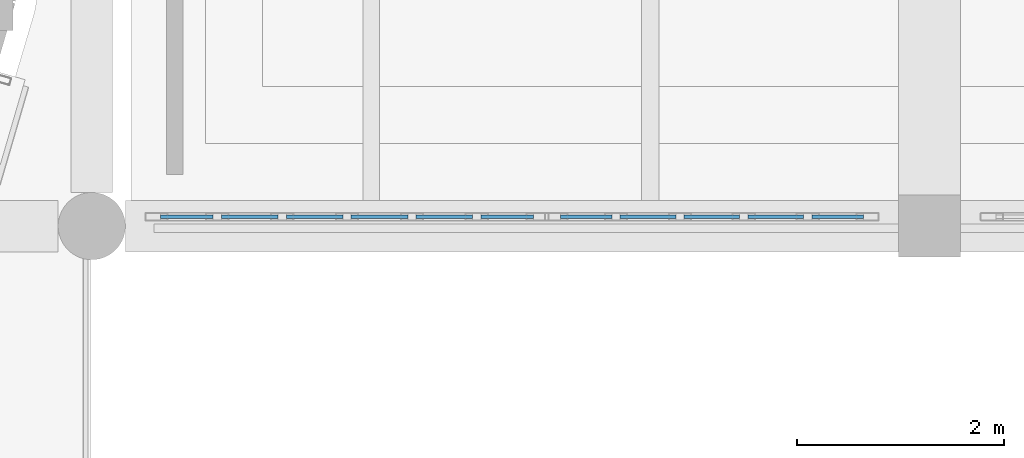
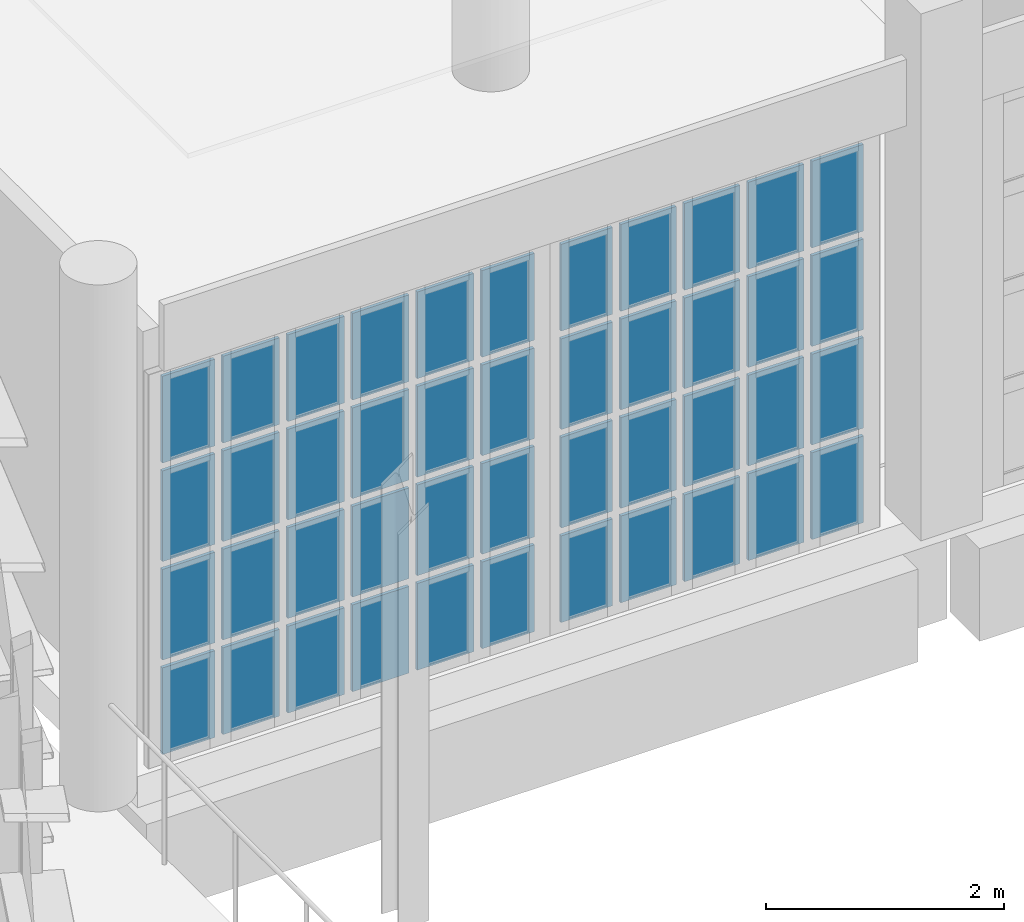
# One storey, part 327 of 372: 44 plates, 2 elements without a shape of their own.
"""IFC4 building model written with IfcOpenShell, lengths in metres."""

import ifcopenshell
import ifcopenshell.guid

model = None  # the IFC model being written
_history = None  # IfcOwnerHistory: only IFC2X3 demands one
_inside = {}  # id of a spatial element -> (the spatial element, [elements in it])
_under = {}  # id of a project, library or spatial element -> (it, [spatial elements below it])
_declared = {}  # id of a project -> (the project, [libraries it declares])
_typed = {}  # id of a type object -> (the type object, [elements of that type])
_made_of = {}  # id of a material, layer set ... -> (it, [elements and type objects made of it])


def new_model(schema):
    """Start an empty IFC model of exactly this schema.

    Asked for "IFC4X3", IfcOpenShell would pick the latest addendum, in which some entities
    have other attributes; the version numbers below select the first issue.
    IFC2X3 requires an IfcOwnerHistory on every rooted entity: one is made here for all.
    """
    global model, _history
    if schema == "IFC4X3":
        model = ifcopenshell.file(schema_version=(4, 3, 0, 0))
    else:
        model = ifcopenshell.file(schema=schema)
    _inside.clear()
    _under.clear()
    _declared.clear()
    _typed.clear()
    _made_of.clear()
    _history = None
    if model.schema == "IFC2X3":
        org = make("IfcOrganization", Name="unknown")
        user = make(
            "IfcPersonAndOrganization",
            ThePerson=make("IfcPerson", FamilyName="unknown"),
            TheOrganization=org,
        )
        app = make(
            "IfcApplication",
            ApplicationDeveloper=org,
            Version="unknown",
            ApplicationFullName="unknown",
            ApplicationIdentifier="unknown",
        )
        _history = make(
            "IfcOwnerHistory",
            OwningUser=user,
            OwningApplication=app,
            ChangeAction="ADDED",
            CreationDate=0,
        )
    return model


def make(cls, **values):
    """One entity of the class cls with the attributes given. An attribute that is None is left unset."""
    return model.create_entity(
        cls, **{name: value for name, value in values.items() if value is not None}
    )


def rooted(cls, **values):
    """An entity with a GlobalId (a new one), such as an element, a storey or a relation."""
    return make(cls, GlobalId=ifcopenshell.guid.new(), OwnerHistory=_history, **values)


def si_unit(unit_type, name, prefix=None):
    """IfcSIUnit, for example si_unit("LENGTHUNIT", "METRE", prefix="MILLI")."""
    return make("IfcSIUnit", UnitType=unit_type, Prefix=prefix, Name=name)


def assignment(units):
    """IfcUnitAssignment: the units of a project."""
    return None if units is None else make("IfcUnitAssignment", Units=units)


def point(xyz):
    """IfcCartesianPoint."""
    return None if xyz is None else make("IfcCartesianPoint", Coordinates=xyz)


def direction(xyz):
    """IfcDirection."""
    return None if xyz is None else make("IfcDirection", DirectionRatios=xyz)


def frame(location, z_axis=None, x_axis=None):
    """IfcAxis2Placement3D, a coordinate frame: its origin and axes. An axis left out is left unset."""
    return make(
        "IfcAxis2Placement3D",
        Location=point(location),
        Axis=direction(z_axis),
        RefDirection=direction(x_axis),
    )


def frame_2d(location, x_axis=None):
    """IfcAxis2Placement2D, a coordinate frame in the plane: its origin and x axis."""
    return make(
        "IfcAxis2Placement2D", Location=point(location), RefDirection=direction(x_axis)
    )


def origin():
    """The frame at (0, 0, 0) with its axes left unset."""
    return frame((0.0, 0.0, 0.0))


def origin_2d():
    """The frame at (0, 0) in the plane with its x axis left unset."""
    return frame_2d((0.0, 0.0))


def place(relative_to, where):
    """IfcLocalPlacement: puts the frame where relative to a parent placement (None: the world)."""
    return make(
        "IfcLocalPlacement", PlacementRelTo=relative_to, RelativePlacement=where
    )


def context(
    kind, dimensions, precision=None, world=None, true_north=None, identifier=None
):
    """IfcGeometricRepresentationContext, for example the 3D "Model" context."""
    return make(
        "IfcGeometricRepresentationContext",
        ContextIdentifier=identifier,
        ContextType=kind,
        CoordinateSpaceDimension=dimensions,
        Precision=precision,
        WorldCoordinateSystem=world,
        TrueNorth=true_north,
    )


def subcontext(parent, identifier, kind, view, scale=None):
    """IfcGeometricRepresentationSubContext, for example "Body" below "Model"."""
    return make(
        "IfcGeometricRepresentationSubContext",
        ContextIdentifier=identifier,
        ContextType=kind,
        ParentContext=parent,
        TargetScale=scale,
        TargetView=view,
    )


def project(units=None, contexts=None):
    """IfcProject with its units and contexts."""
    return rooted(
        "IfcProject",
        Name="project",
        RepresentationContexts=contexts,
        UnitsInContext=assignment(units),
    )


def spatial(cls, under=None, at=None, **own):
    """A site, building, storey or space (cls), placed at a placement, below another one or the project."""
    s = rooted(cls, ObjectPlacement=at, **own)
    if under is not None:
        _under.setdefault(under.id(), (under, []))[1].append(s)
    return s


def profile(cls, at=None, kind="AREA", **sizes):
    """A parametric profile (cls). Its sizes go by their IFC names, for example OverallWidth=200.0."""
    return make(cls, ProfileType=kind, Position=at, **sizes)


def rectangle(**sizes):
    """IfcRectangleProfileDef."""
    return profile("IfcRectangleProfileDef", **sizes)


def extrude(swept, where, along, depth):
    """IfcExtrudedAreaSolid: the profile swept, set in the frame where, extruded along a direction by depth."""
    return make(
        "IfcExtrudedAreaSolid",
        SweptArea=swept,
        Position=where,
        ExtrudedDirection=direction(along),
        Depth=depth,
    )


def shape(context_of_items, identifier, shape_type, items):
    """IfcShapeRepresentation: the items that make up one representation, for example the "Body"."""
    return make(
        "IfcShapeRepresentation",
        ContextOfItems=context_of_items,
        RepresentationIdentifier=identifier,
        RepresentationType=shape_type,
        Items=items,
    )


def material(Name=None, Category=None):
    """IfcMaterial."""
    return make("IfcMaterial", Name=Name, Category=Category)


def layer(
    of_material, thickness, ventilated=None, Name=None, Category=None, Priority=None
):
    """IfcMaterialLayer: one layer of a wall or slab, of a material (None: an air gap)."""
    return make(
        "IfcMaterialLayer",
        Material=of_material,
        LayerThickness=thickness,
        IsVentilated=ventilated,
        Name=Name,
        Category=Category,
        Priority=Priority,
    )


def layer_set(layers, Name=None):
    """IfcMaterialLayerSet."""
    return make("IfcMaterialLayerSet", MaterialLayers=layers, LayerSetName=Name)


def made_of(thing, what):
    """Note that an element or type object is made of a material, layer set ...; save() writes the relation."""
    if what is not None:
        _made_of.setdefault(what.id(), (what, []))[1].append(thing)
    return thing


def type_object(cls, material=None, **own):
    """A type object (cls), such as IfcWallType, which elements share."""
    return made_of(rooted(cls, **own), material)


def element(
    cls,
    number,
    at=None,
    inside=None,
    cuts=None,
    type_object=None,
    material=None,
    context=None,
    identifier="Body",
    shape_type=None,
    held_by="IfcProductDefinitionShape",
    body=None,
    shapes=None,
    **own,
):
    """One element of the class cls, such as IfcWall. Its Tag is "e" and its number.

    at: its placement. inside: the storey or other place that contains it. cuts: it is an
    opening in that element (IfcRelVoidsElement). A single representation is given by context,
    identifier, shape_type and body (its items); several are given by shapes. held_by: the class
    of the entity that holds the representations. save() writes the other relations.
    """
    e = rooted(cls, Tag="e%d" % number, ObjectPlacement=at, **own)
    if body is not None:
        shapes = [shape(context, identifier, shape_type, body)]
    if shapes is not None:
        e.Representation = make(held_by, Representations=shapes)
    if inside is not None:
        _inside.setdefault(inside.id(), (inside, []))[1].append(e)
    if cuts is not None:
        rooted(
            "IfcRelVoidsElement", RelatingBuildingElement=cuts, RelatedOpeningElement=e
        )
    if type_object is not None:
        _typed.setdefault(type_object.id(), (type_object, []))[1].append(e)
    return made_of(e, material)


def aggregate(whole, parts):
    """IfcRelAggregates: a whole, such as a stair, and the parts it consists of."""
    return rooted("IfcRelAggregates", RelatingObject=whole, RelatedObjects=parts)


def save(model, path):
    """Write the relations noted so far, then the file.

    IfcRelAggregates (storeys below a building ...), IfcRelContainedInSpatialStructure (elements
    in a storey), IfcRelDefinesByType, IfcRelAssociatesMaterial and IfcRelDeclares: one each for
    every whole, place, type object, material and project.
    """
    for whole, parts in _under.values():
        aggregate(whole, parts)
    for where, things in _inside.values():
        rooted(
            "IfcRelContainedInSpatialStructure",
            RelatedElements=things,
            RelatingStructure=where,
        )
    for kind, things in _typed.values():
        rooted("IfcRelDefinesByType", RelatedObjects=things, RelatingType=kind)
    for what, things in _made_of.values():
        rooted("IfcRelAssociatesMaterial", RelatedObjects=things, RelatingMaterial=what)
    for by, libraries in _declared.values():
        rooted("IfcRelDeclares", RelatingContext=by, RelatedDefinitions=libraries)
    model.write(path)


model = new_model("IFC4")

# Units and contexts
model_context = context("Model", 3, precision=1e-05, world=origin(), true_north=direction((0.0, 1.0)))
body_context = subcontext(model_context, "Body", "Model", "MODEL_VIEW")
ifc_project = project(units=[si_unit("LENGTHUNIT", "METRE"), si_unit("AREAUNIT", "SQUARE_METRE"), si_unit("VOLUMEUNIT", "CUBIC_METRE"), si_unit("PLANEANGLEUNIT", "RADIAN"), si_unit("MASSUNIT", "GRAM", prefix="KILO")], contexts=[model_context])

# Site, building, storey
site_placement = place(None, origin())
site = spatial("IfcSite", under=ifc_project, at=site_placement, CompositionType="ELEMENT")
building_placement = place(site_placement, origin())
building = spatial("IfcBuilding", under=site, at=building_placement, Name="Kaelora Sail Theatre", CompositionType="ELEMENT")
storey_placement = place(building_placement, origin())
storey = spatial("IfcBuildingStorey", under=building, at=storey_placement, Name="L00", CompositionType="ELEMENT", Elevation=0.0)

# Curtain wall, plates
ifc_material_1 = material(Name="Anodised aluminium and solar-control low-E IGU", Category="aluminium")
curtain_wall_type = type_object("IfcCurtainWallType", Name="ARC-CW-CW-FOY1", PredefinedType="NOTDEFINED", material=ifc_material_1)
curtain_wall_1_placement = place(storey_placement, origin())
curtain_wall_1 = element("IfcCurtainWall", 1, at=curtain_wall_1_placement, inside=storey, type_object=curtain_wall_type, Name="West Interstitial Sail Foyer Curtain Wall L00-01", PredefinedType="NOTDEFINED")
ifc_material_2 = material(Name="Solar-control laminated low-E glass", Category="glass")
ifc_layer = layer(ifc_material_2, 0.031982421875)
ifc_layer_set = layer_set([ifc_layer], Name="Solar-control laminated low-E glass")
plate_type = type_object("IfcPlateType", Name="ARC-CW-PNL", PredefinedType="CURTAIN_PANEL", material=ifc_layer_set)
plate_1_placement = place(storey_placement, frame((59.11865234375, 38.7900390625, 0.080078125), z_axis=(0.0, 0.0, 1.0), x_axis=(1.0, 0.0, 0.0)))
plate_1 = element("IfcPlate", 2, at=plate_1_placement, type_object=plate_type, Name="CW-FOY1 panel 1.1", PredefinedType="CURTAIN_PANEL", context=body_context, shape_type="SweptSolid", body=[
    extrude(rectangle(XDim=0.507568359375, YDim=0.031982421875, at=origin_2d()), origin(), (0.0, 0.0, 1.0), 0.88916015625),
])
plate_2_placement = place(storey_placement, frame((59.11865234375, 38.7900390625, 1.04931640625), z_axis=(0.0, 0.0, 1.0), x_axis=(1.0, 0.0, 0.0)))
plate_2 = element("IfcPlate", 3, at=plate_2_placement, type_object=plate_type, Name="CW-FOY1 panel 1.2", PredefinedType="CURTAIN_PANEL", context=body_context, shape_type="SweptSolid", body=[
    extrude(rectangle(XDim=0.507568359375, YDim=0.031982421875, at=origin_2d()), origin(), (0.0, 0.0, 1.0), 0.92919921875),
])
plate_3_placement = place(storey_placement, frame((59.11865234375, 38.7900390625, 2.05859375), z_axis=(0.0, 0.0, 1.0), x_axis=(1.0, 0.0, 0.0)))
plate_3 = element("IfcPlate", 4, at=plate_3_placement, type_object=plate_type, Name="CW-FOY1 panel 1.3", PredefinedType="CURTAIN_PANEL", context=body_context, shape_type="SweptSolid", body=[
    extrude(rectangle(XDim=0.507568359375, YDim=0.031982421875, at=origin_2d()), origin(), (0.0, 0.0, 1.0), 0.92919921875),
])
plate_4_placement = place(storey_placement, frame((59.11865234375, 38.7900390625, 3.06787109375), z_axis=(0.0, 0.0, 1.0), x_axis=(1.0, 0.0, 0.0)))
plate_4 = element("IfcPlate", 5, at=plate_4_placement, type_object=plate_type, Name="CW-FOY1 panel 1.4", PredefinedType="CURTAIN_PANEL", context=body_context, shape_type="SweptSolid", body=[
    extrude(rectangle(XDim=0.507568359375, YDim=0.031982421875, at=origin_2d()), origin(), (0.0, 0.0, 1.0), 0.88916015625),
])
plate_5_placement = place(storey_placement, frame((59.726318359375, 38.7900390625, 0.080078125), z_axis=(0.0, 0.0, 1.0), x_axis=(1.0, 0.0, 0.0)))
plate_5 = element("IfcPlate", 6, at=plate_5_placement, type_object=plate_type, Name="CW-FOY1 panel 2.1", PredefinedType="CURTAIN_PANEL", context=body_context, shape_type="SweptSolid", body=[
    extrude(rectangle(XDim=0.547607421875, YDim=0.031982421875, at=origin_2d()), origin(), (0.0, 0.0, 1.0), 0.88916015625),
])
plate_6_placement = place(storey_placement, frame((59.726318359375, 38.7900390625, 1.04931640625), z_axis=(0.0, 0.0, 1.0), x_axis=(1.0, 0.0, 0.0)))
plate_6 = element("IfcPlate", 7, at=plate_6_placement, type_object=plate_type, Name="CW-FOY1 panel 2.2", PredefinedType="CURTAIN_PANEL", context=body_context, shape_type="SweptSolid", body=[
    extrude(rectangle(XDim=0.547607421875, YDim=0.031982421875, at=origin_2d()), origin(), (0.0, 0.0, 1.0), 0.92919921875),
])
plate_7_placement = place(storey_placement, frame((59.726318359375, 38.7900390625, 2.05859375), z_axis=(0.0, 0.0, 1.0), x_axis=(1.0, 0.0, 0.0)))
plate_7 = element("IfcPlate", 8, at=plate_7_placement, type_object=plate_type, Name="CW-FOY1 panel 2.3", PredefinedType="CURTAIN_PANEL", context=body_context, shape_type="SweptSolid", body=[
    extrude(rectangle(XDim=0.547607421875, YDim=0.031982421875, at=origin_2d()), origin(), (0.0, 0.0, 1.0), 0.92919921875),
])
plate_8_placement = place(storey_placement, frame((59.726318359375, 38.7900390625, 3.06787109375), z_axis=(0.0, 0.0, 1.0), x_axis=(1.0, 0.0, 0.0)))
plate_8 = element("IfcPlate", 9, at=plate_8_placement, type_object=plate_type, Name="CW-FOY1 panel 2.4", PredefinedType="CURTAIN_PANEL", context=body_context, shape_type="SweptSolid", body=[
    extrude(rectangle(XDim=0.547607421875, YDim=0.031982421875, at=origin_2d()), origin(), (0.0, 0.0, 1.0), 0.88916015625),
])
plate_9_placement = place(storey_placement, frame((60.353759765625, 38.7900390625, 0.080078125), z_axis=(0.0, 0.0, 1.0), x_axis=(1.0, 0.0, 0.0)))
plate_9 = element("IfcPlate", 10, at=plate_9_placement, type_object=plate_type, Name="CW-FOY1 panel 3.1", PredefinedType="CURTAIN_PANEL", context=body_context, shape_type="SweptSolid", body=[
    extrude(rectangle(XDim=0.547607421875, YDim=0.031982421875, at=origin_2d()), origin(), (0.0, 0.0, 1.0), 0.88916015625),
])
plate_10_placement = place(storey_placement, frame((60.353759765625, 38.7900390625, 1.04931640625), z_axis=(0.0, 0.0, 1.0), x_axis=(1.0, 0.0, 0.0)))
plate_10 = element("IfcPlate", 11, at=plate_10_placement, type_object=plate_type, Name="CW-FOY1 panel 3.2", PredefinedType="CURTAIN_PANEL", context=body_context, shape_type="SweptSolid", body=[
    extrude(rectangle(XDim=0.547607421875, YDim=0.031982421875, at=origin_2d()), origin(), (0.0, 0.0, 1.0), 0.92919921875),
])
plate_11_placement = place(storey_placement, frame((60.353759765625, 38.7900390625, 2.05859375), z_axis=(0.0, 0.0, 1.0), x_axis=(1.0, 0.0, 0.0)))
plate_11 = element("IfcPlate", 12, at=plate_11_placement, type_object=plate_type, Name="CW-FOY1 panel 3.3", PredefinedType="CURTAIN_PANEL", context=body_context, shape_type="SweptSolid", body=[
    extrude(rectangle(XDim=0.547607421875, YDim=0.031982421875, at=origin_2d()), origin(), (0.0, 0.0, 1.0), 0.92919921875),
])
plate_12_placement = place(storey_placement, frame((60.353759765625, 38.7900390625, 3.06787109375), z_axis=(0.0, 0.0, 1.0), x_axis=(1.0, 0.0, 0.0)))
plate_12 = element("IfcPlate", 13, at=plate_12_placement, type_object=plate_type, Name="CW-FOY1 panel 3.4", PredefinedType="CURTAIN_PANEL", context=body_context, shape_type="SweptSolid", body=[
    extrude(rectangle(XDim=0.547607421875, YDim=0.031982421875, at=origin_2d()), origin(), (0.0, 0.0, 1.0), 0.88916015625),
])
plate_13_placement = place(storey_placement, frame((60.981201171875, 38.7900390625, 0.080078125), z_axis=(0.0, 0.0, 1.0), x_axis=(1.0, 0.0, 0.0)))
plate_13 = element("IfcPlate", 14, at=plate_13_placement, type_object=plate_type, Name="CW-FOY1 panel 4.1", PredefinedType="CURTAIN_PANEL", context=body_context, shape_type="SweptSolid", body=[
    extrude(rectangle(XDim=0.547607421875, YDim=0.031982421875, at=origin_2d()), origin(), (0.0, 0.0, 1.0), 0.88916015625),
])
plate_14_placement = place(storey_placement, frame((60.981201171875, 38.7900390625, 1.04931640625), z_axis=(0.0, 0.0, 1.0), x_axis=(1.0, 0.0, 0.0)))
plate_14 = element("IfcPlate", 15, at=plate_14_placement, type_object=plate_type, Name="CW-FOY1 panel 4.2", PredefinedType="CURTAIN_PANEL", context=body_context, shape_type="SweptSolid", body=[
    extrude(rectangle(XDim=0.547607421875, YDim=0.031982421875, at=origin_2d()), origin(), (0.0, 0.0, 1.0), 0.92919921875),
])
plate_15_placement = place(storey_placement, frame((60.981201171875, 38.7900390625, 2.05859375), z_axis=(0.0, 0.0, 1.0), x_axis=(1.0, 0.0, 0.0)))
plate_15 = element("IfcPlate", 16, at=plate_15_placement, type_object=plate_type, Name="CW-FOY1 panel 4.3", PredefinedType="CURTAIN_PANEL", context=body_context, shape_type="SweptSolid", body=[
    extrude(rectangle(XDim=0.547607421875, YDim=0.031982421875, at=origin_2d()), origin(), (0.0, 0.0, 1.0), 0.92919921875),
])
plate_16_placement = place(storey_placement, frame((60.981201171875, 38.7900390625, 3.06787109375), z_axis=(0.0, 0.0, 1.0), x_axis=(1.0, 0.0, 0.0)))
plate_16 = element("IfcPlate", 17, at=plate_16_placement, type_object=plate_type, Name="CW-FOY1 panel 4.4", PredefinedType="CURTAIN_PANEL", context=body_context, shape_type="SweptSolid", body=[
    extrude(rectangle(XDim=0.547607421875, YDim=0.031982421875, at=origin_2d()), origin(), (0.0, 0.0, 1.0), 0.88916015625),
])
plate_17_placement = place(storey_placement, frame((61.608642578125, 38.7900390625, 0.080078125), z_axis=(0.0, 0.0, 1.0), x_axis=(1.0, 0.0, 0.0)))
plate_17 = element("IfcPlate", 18, at=plate_17_placement, type_object=plate_type, Name="CW-FOY1 panel 5.1", PredefinedType="CURTAIN_PANEL", context=body_context, shape_type="SweptSolid", body=[
    extrude(rectangle(XDim=0.547607421875, YDim=0.031982421875, at=origin_2d()), origin(), (0.0, 0.0, 1.0), 0.88916015625),
])
plate_18_placement = place(storey_placement, frame((61.608642578125, 38.7900390625, 1.04931640625), z_axis=(0.0, 0.0, 1.0), x_axis=(1.0, 0.0, 0.0)))
plate_18 = element("IfcPlate", 19, at=plate_18_placement, type_object=plate_type, Name="CW-FOY1 panel 5.2", PredefinedType="CURTAIN_PANEL", context=body_context, shape_type="SweptSolid", body=[
    extrude(rectangle(XDim=0.547607421875, YDim=0.031982421875, at=origin_2d()), origin(), (0.0, 0.0, 1.0), 0.92919921875),
])
plate_19_placement = place(storey_placement, frame((61.608642578125, 38.7900390625, 2.05859375), z_axis=(0.0, 0.0, 1.0), x_axis=(1.0, 0.0, 0.0)))
plate_19 = element("IfcPlate", 20, at=plate_19_placement, type_object=plate_type, Name="CW-FOY1 panel 5.3", PredefinedType="CURTAIN_PANEL", context=body_context, shape_type="SweptSolid", body=[
    extrude(rectangle(XDim=0.547607421875, YDim=0.031982421875, at=origin_2d()), origin(), (0.0, 0.0, 1.0), 0.92919921875),
])
plate_20_placement = place(storey_placement, frame((61.608642578125, 38.7900390625, 3.06787109375), z_axis=(0.0, 0.0, 1.0), x_axis=(1.0, 0.0, 0.0)))
plate_20 = element("IfcPlate", 21, at=plate_20_placement, type_object=plate_type, Name="CW-FOY1 panel 5.4", PredefinedType="CURTAIN_PANEL", context=body_context, shape_type="SweptSolid", body=[
    extrude(rectangle(XDim=0.547607421875, YDim=0.031982421875, at=origin_2d()), origin(), (0.0, 0.0, 1.0), 0.88916015625),
])
plate_21_placement = place(storey_placement, frame((62.21630859375, 38.7900390625, 0.080078125), z_axis=(0.0, 0.0, 1.0), x_axis=(1.0, 0.0, 0.0)))
plate_21 = element("IfcPlate", 22, at=plate_21_placement, type_object=plate_type, Name="CW-FOY1 panel 6.1", PredefinedType="CURTAIN_PANEL", context=body_context, shape_type="SweptSolid", body=[
    extrude(rectangle(XDim=0.507568359375, YDim=0.031982421875, at=origin_2d()), origin(), (0.0, 0.0, 1.0), 0.88916015625),
])
plate_22_placement = place(storey_placement, frame((62.21630859375, 38.7900390625, 1.04931640625), z_axis=(0.0, 0.0, 1.0), x_axis=(1.0, 0.0, 0.0)))
plate_22 = element("IfcPlate", 23, at=plate_22_placement, type_object=plate_type, Name="CW-FOY1 panel 6.2", PredefinedType="CURTAIN_PANEL", context=body_context, shape_type="SweptSolid", body=[
    extrude(rectangle(XDim=0.507568359375, YDim=0.031982421875, at=origin_2d()), origin(), (0.0, 0.0, 1.0), 0.92919921875),
])
plate_23_placement = place(storey_placement, frame((62.21630859375, 38.7900390625, 2.05859375), z_axis=(0.0, 0.0, 1.0), x_axis=(1.0, 0.0, 0.0)))
plate_23 = element("IfcPlate", 24, at=plate_23_placement, type_object=plate_type, Name="CW-FOY1 panel 6.3", PredefinedType="CURTAIN_PANEL", context=body_context, shape_type="SweptSolid", body=[
    extrude(rectangle(XDim=0.507568359375, YDim=0.031982421875, at=origin_2d()), origin(), (0.0, 0.0, 1.0), 0.92919921875),
])
plate_24_placement = place(storey_placement, frame((62.21630859375, 38.7900390625, 3.06787109375), z_axis=(0.0, 0.0, 1.0), x_axis=(1.0, 0.0, 0.0)))
plate_24 = element("IfcPlate", 25, at=plate_24_placement, type_object=plate_type, Name="CW-FOY1 panel 6.4", PredefinedType="CURTAIN_PANEL", context=body_context, shape_type="SweptSolid", body=[
    extrude(rectangle(XDim=0.507568359375, YDim=0.031982421875, at=origin_2d()), origin(), (0.0, 0.0, 1.0), 0.88916015625),
])
aggregate(curtain_wall_1, [plate_1, plate_2, plate_3, plate_4, plate_5, plate_6, plate_7, plate_8, plate_9, plate_10, plate_11, plate_12, plate_13, plate_14, plate_15, plate_16, plate_17, plate_18, plate_19, plate_20, plate_21, plate_22, plate_23, plate_24])

curtain_wall_2_placement = place(storey_placement, origin())
curtain_wall_2 = element("IfcCurtainWall", 26, at=curtain_wall_2_placement, inside=storey, type_object=curtain_wall_type, Name="West Interstitial Sail Foyer Curtain Wall L00-02", PredefinedType="NOTDEFINED")
plate_25_placement = place(storey_placement, frame((62.97900390625, 38.7900390625, 0.080078125), z_axis=(0.0, 0.0, 1.0), x_axis=(1.0, 0.0, 0.0)))
plate_25 = element("IfcPlate", 27, at=plate_25_placement, type_object=plate_type, Name="CW-FOY1 panel 1.1", PredefinedType="CURTAIN_PANEL", context=body_context, shape_type="SweptSolid", body=[
    extrude(rectangle(XDim=0.498046875, YDim=0.031982421875, at=origin_2d()), origin(), (0.0, 0.0, 1.0), 0.88916015625),
])
plate_26_placement = place(storey_placement, frame((62.97900390625, 38.7900390625, 1.04931640625), z_axis=(0.0, 0.0, 1.0), x_axis=(1.0, 0.0, 0.0)))
plate_26 = element("IfcPlate", 28, at=plate_26_placement, type_object=plate_type, Name="CW-FOY1 panel 1.2", PredefinedType="CURTAIN_PANEL", context=body_context, shape_type="SweptSolid", body=[
    extrude(rectangle(XDim=0.498046875, YDim=0.031982421875, at=origin_2d()), origin(), (0.0, 0.0, 1.0), 0.92919921875),
])
plate_27_placement = place(storey_placement, frame((62.97900390625, 38.7900390625, 2.05859375), z_axis=(0.0, 0.0, 1.0), x_axis=(1.0, 0.0, 0.0)))
plate_27 = element("IfcPlate", 29, at=plate_27_placement, type_object=plate_type, Name="CW-FOY1 panel 1.3", PredefinedType="CURTAIN_PANEL", context=body_context, shape_type="SweptSolid", body=[
    extrude(rectangle(XDim=0.498046875, YDim=0.031982421875, at=origin_2d()), origin(), (0.0, 0.0, 1.0), 0.92919921875),
])
plate_28_placement = place(storey_placement, frame((62.97900390625, 38.7900390625, 3.06787109375), z_axis=(0.0, 0.0, 1.0), x_axis=(1.0, 0.0, 0.0)))
plate_28 = element("IfcPlate", 30, at=plate_28_placement, type_object=plate_type, Name="CW-FOY1 panel 1.4", PredefinedType="CURTAIN_PANEL", context=body_context, shape_type="SweptSolid", body=[
    extrude(rectangle(XDim=0.498046875, YDim=0.031982421875, at=origin_2d()), origin(), (0.0, 0.0, 1.0), 0.88916015625),
])
plate_29_placement = place(storey_placement, frame((63.576904296875, 38.7900390625, 0.080078125), z_axis=(0.0, 0.0, 1.0), x_axis=(1.0, 0.0, 0.0)))
plate_29 = element("IfcPlate", 31, at=plate_29_placement, type_object=plate_type, Name="CW-FOY1 panel 2.1", PredefinedType="CURTAIN_PANEL", context=body_context, shape_type="SweptSolid", body=[
    extrude(rectangle(XDim=0.5380859375, YDim=0.031982421875, at=origin_2d()), origin(), (0.0, 0.0, 1.0), 0.88916015625),
])
plate_30_placement = place(storey_placement, frame((63.576904296875, 38.7900390625, 1.04931640625), z_axis=(0.0, 0.0, 1.0), x_axis=(1.0, 0.0, 0.0)))
plate_30 = element("IfcPlate", 32, at=plate_30_placement, type_object=plate_type, Name="CW-FOY1 panel 2.2", PredefinedType="CURTAIN_PANEL", context=body_context, shape_type="SweptSolid", body=[
    extrude(rectangle(XDim=0.5380859375, YDim=0.031982421875, at=origin_2d()), origin(), (0.0, 0.0, 1.0), 0.92919921875),
])
plate_31_placement = place(storey_placement, frame((63.576904296875, 38.7900390625, 2.05859375), z_axis=(0.0, 0.0, 1.0), x_axis=(1.0, 0.0, 0.0)))
plate_31 = element("IfcPlate", 33, at=plate_31_placement, type_object=plate_type, Name="CW-FOY1 panel 2.3", PredefinedType="CURTAIN_PANEL", context=body_context, shape_type="SweptSolid", body=[
    extrude(rectangle(XDim=0.5380859375, YDim=0.031982421875, at=origin_2d()), origin(), (0.0, 0.0, 1.0), 0.92919921875),
])
plate_32_placement = place(storey_placement, frame((63.576904296875, 38.7900390625, 3.06787109375), z_axis=(0.0, 0.0, 1.0), x_axis=(1.0, 0.0, 0.0)))
plate_32 = element("IfcPlate", 34, at=plate_32_placement, type_object=plate_type, Name="CW-FOY1 panel 2.4", PredefinedType="CURTAIN_PANEL", context=body_context, shape_type="SweptSolid", body=[
    extrude(rectangle(XDim=0.5380859375, YDim=0.031982421875, at=origin_2d()), origin(), (0.0, 0.0, 1.0), 0.88916015625),
])
plate_33_placement = place(storey_placement, frame((64.195068359375, 38.7900390625, 0.080078125), z_axis=(0.0, 0.0, 1.0), x_axis=(1.0, 0.0, 0.0)))
plate_33 = element("IfcPlate", 35, at=plate_33_placement, type_object=plate_type, Name="CW-FOY1 panel 3.1", PredefinedType="CURTAIN_PANEL", context=body_context, shape_type="SweptSolid", body=[
    extrude(rectangle(XDim=0.5380859375, YDim=0.031982421875, at=origin_2d()), origin(), (0.0, 0.0, 1.0), 0.88916015625),
])
plate_34_placement = place(storey_placement, frame((64.195068359375, 38.7900390625, 1.04931640625), z_axis=(0.0, 0.0, 1.0), x_axis=(1.0, 0.0, 0.0)))
plate_34 = element("IfcPlate", 36, at=plate_34_placement, type_object=plate_type, Name="CW-FOY1 panel 3.2", PredefinedType="CURTAIN_PANEL", context=body_context, shape_type="SweptSolid", body=[
    extrude(rectangle(XDim=0.5380859375, YDim=0.031982421875, at=origin_2d()), origin(), (0.0, 0.0, 1.0), 0.92919921875),
])
plate_35_placement = place(storey_placement, frame((64.195068359375, 38.7900390625, 2.05859375), z_axis=(0.0, 0.0, 1.0), x_axis=(1.0, 0.0, 0.0)))
plate_35 = element("IfcPlate", 37, at=plate_35_placement, type_object=plate_type, Name="CW-FOY1 panel 3.3", PredefinedType="CURTAIN_PANEL", context=body_context, shape_type="SweptSolid", body=[
    extrude(rectangle(XDim=0.5380859375, YDim=0.031982421875, at=origin_2d()), origin(), (0.0, 0.0, 1.0), 0.92919921875),
])
plate_36_placement = place(storey_placement, frame((64.195068359375, 38.7900390625, 3.06787109375), z_axis=(0.0, 0.0, 1.0), x_axis=(1.0, 0.0, 0.0)))
plate_36 = element("IfcPlate", 38, at=plate_36_placement, type_object=plate_type, Name="CW-FOY1 panel 3.4", PredefinedType="CURTAIN_PANEL", context=body_context, shape_type="SweptSolid", body=[
    extrude(rectangle(XDim=0.5380859375, YDim=0.031982421875, at=origin_2d()), origin(), (0.0, 0.0, 1.0), 0.88916015625),
])
plate_37_placement = place(storey_placement, frame((64.81298828125, 38.7900390625, 0.080078125), z_axis=(0.0, 0.0, 1.0), x_axis=(1.0, 0.0, 0.0)))
plate_37 = element("IfcPlate", 39, at=plate_37_placement, type_object=plate_type, Name="CW-FOY1 panel 4.1", PredefinedType="CURTAIN_PANEL", context=body_context, shape_type="SweptSolid", body=[
    extrude(rectangle(XDim=0.5380859375, YDim=0.031982421875, at=origin_2d()), origin(), (0.0, 0.0, 1.0), 0.88916015625),
])
plate_38_placement = place(storey_placement, frame((64.81298828125, 38.7900390625, 1.04931640625), z_axis=(0.0, 0.0, 1.0), x_axis=(1.0, 0.0, 0.0)))
plate_38 = element("IfcPlate", 40, at=plate_38_placement, type_object=plate_type, Name="CW-FOY1 panel 4.2", PredefinedType="CURTAIN_PANEL", context=body_context, shape_type="SweptSolid", body=[
    extrude(rectangle(XDim=0.5380859375, YDim=0.031982421875, at=origin_2d()), origin(), (0.0, 0.0, 1.0), 0.92919921875),
])
plate_39_placement = place(storey_placement, frame((64.81298828125, 38.7900390625, 2.05859375), z_axis=(0.0, 0.0, 1.0), x_axis=(1.0, 0.0, 0.0)))
plate_39 = element("IfcPlate", 41, at=plate_39_placement, type_object=plate_type, Name="CW-FOY1 panel 4.3", PredefinedType="CURTAIN_PANEL", context=body_context, shape_type="SweptSolid", body=[
    extrude(rectangle(XDim=0.5380859375, YDim=0.031982421875, at=origin_2d()), origin(), (0.0, 0.0, 1.0), 0.92919921875),
])
plate_40_placement = place(storey_placement, frame((64.81298828125, 38.7900390625, 3.06787109375), z_axis=(0.0, 0.0, 1.0), x_axis=(1.0, 0.0, 0.0)))
plate_40 = element("IfcPlate", 42, at=plate_40_placement, type_object=plate_type, Name="CW-FOY1 panel 4.4", PredefinedType="CURTAIN_PANEL", context=body_context, shape_type="SweptSolid", body=[
    extrude(rectangle(XDim=0.5380859375, YDim=0.031982421875, at=origin_2d()), origin(), (0.0, 0.0, 1.0), 0.88916015625),
])
plate_41_placement = place(storey_placement, frame((65.410888671875, 38.7900390625, 0.080078125), z_axis=(0.0, 0.0, 1.0), x_axis=(1.0, 0.0, 0.0)))
plate_41 = element("IfcPlate", 43, at=plate_41_placement, type_object=plate_type, Name="CW-FOY1 panel 5.1", PredefinedType="CURTAIN_PANEL", context=body_context, shape_type="SweptSolid", body=[
    extrude(rectangle(XDim=0.498046875, YDim=0.031982421875, at=origin_2d()), origin(), (0.0, 0.0, 1.0), 0.88916015625),
])
plate_42_placement = place(storey_placement, frame((65.410888671875, 38.7900390625, 1.04931640625), z_axis=(0.0, 0.0, 1.0), x_axis=(1.0, 0.0, 0.0)))
plate_42 = element("IfcPlate", 44, at=plate_42_placement, type_object=plate_type, Name="CW-FOY1 panel 5.2", PredefinedType="CURTAIN_PANEL", context=body_context, shape_type="SweptSolid", body=[
    extrude(rectangle(XDim=0.498046875, YDim=0.031982421875, at=origin_2d()), origin(), (0.0, 0.0, 1.0), 0.92919921875),
])
plate_43_placement = place(storey_placement, frame((65.410888671875, 38.7900390625, 2.05859375), z_axis=(0.0, 0.0, 1.0), x_axis=(1.0, 0.0, 0.0)))
plate_43 = element("IfcPlate", 45, at=plate_43_placement, type_object=plate_type, Name="CW-FOY1 panel 5.3", PredefinedType="CURTAIN_PANEL", context=body_context, shape_type="SweptSolid", body=[
    extrude(rectangle(XDim=0.498046875, YDim=0.031982421875, at=origin_2d()), origin(), (0.0, 0.0, 1.0), 0.92919921875),
])
plate_44_placement = place(storey_placement, frame((65.410888671875, 38.7900390625, 3.06787109375), z_axis=(0.0, 0.0, 1.0), x_axis=(1.0, 0.0, 0.0)))
plate_44 = element("IfcPlate", 46, at=plate_44_placement, type_object=plate_type, Name="CW-FOY1 panel 5.4", PredefinedType="CURTAIN_PANEL", context=body_context, shape_type="SweptSolid", body=[
    extrude(rectangle(XDim=0.498046875, YDim=0.031982421875, at=origin_2d()), origin(), (0.0, 0.0, 1.0), 0.88916015625),
])
aggregate(curtain_wall_2, [plate_25, plate_26, plate_27, plate_28, plate_29, plate_30, plate_31, plate_32, plate_33, plate_34, plate_35, plate_36, plate_37, plate_38, plate_39, plate_40, plate_41, plate_42, plate_43, plate_44])

save(model, "model.ifc")
